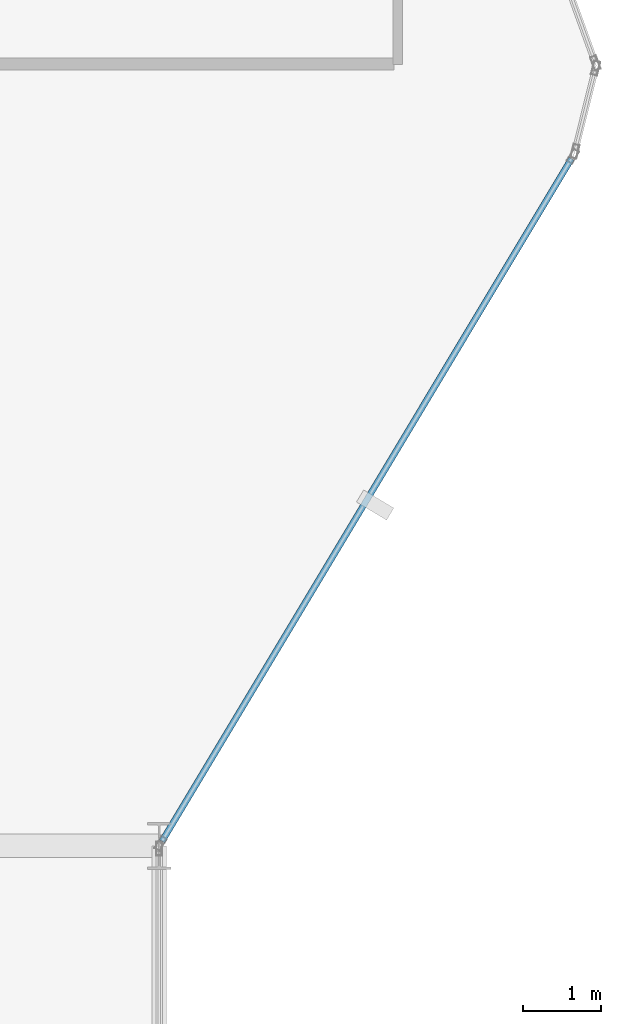
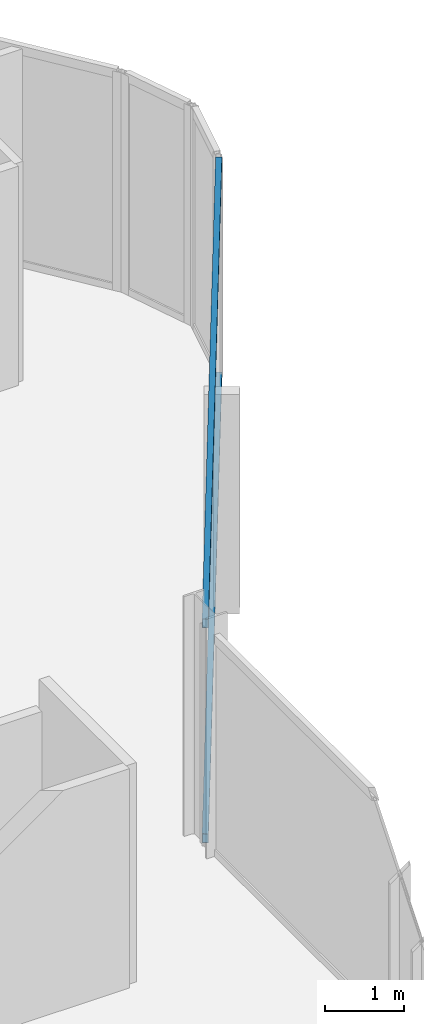
# One storey, part 13 of 29: 2 members, 1 element without a shape of its own.
"""IFC4 building model written with IfcOpenShell, lengths in metres."""

from ifc_helpers import new_model, si_unit, direction, frame, origin, origin_2d, place, context, subcontext, project, spatial, hollow_rectangle, extrude, material, layer, layer_set, material_profile, profile_set, type_object, element, aggregate, save


model = new_model("IFC4")

# Units and contexts
model_context = context("Model", 3, precision=1e-05, world=origin(), true_north=direction((0.0, 1.0)))
body_context = subcontext(model_context, "Body", "Model", "MODEL_VIEW")
ifc_project = project(units=[si_unit("LENGTHUNIT", "METRE"), si_unit("AREAUNIT", "SQUARE_METRE"), si_unit("VOLUMEUNIT", "CUBIC_METRE"), si_unit("PLANEANGLEUNIT", "RADIAN"), si_unit("MASSUNIT", "GRAM", prefix="KILO")], contexts=[model_context])

# Site, building, storey
site_placement = place(None, origin())
site = spatial("IfcSite", under=ifc_project, at=site_placement, CompositionType="ELEMENT")
building_placement = place(site_placement, origin())
building = spatial("IfcBuilding", under=site, at=building_placement, Name="Keshet Zoharim Tower", CompositionType="ELEMENT")
storey_placement = place(building_placement, frame((0.0, 0.0, 94.60009765625)))
storey = spatial("IfcBuildingStorey", under=building, at=storey_placement, Name="L22", CompositionType="ELEMENT", Elevation=94.60009765625)

# Curtain wall, members
ifc_material = material(Name="Aluminium 6063-T6", Category="aluminium")
ifc_layer = layer(ifc_material, 0.159912109375)
ifc_layer_set = layer_set([ifc_layer], Name="Aluminium 6063-T6")
curtain_wall_type = type_object("IfcCurtainWallType", Name="CW-SYS-03", PredefinedType="NOTDEFINED", material=ifc_layer_set)
curtain_wall_placement = place(storey_placement, origin())
curtain_wall = element("IfcCurtainWall", 1, at=curtain_wall_placement, inside=storey, type_object=curtain_wall_type, Name="L22 Unitised Curtain Wall 18", PredefinedType="NOTDEFINED")
ifc_material_profile = material_profile(ifc_material, hollow_rectangle(XDim=0.080078125, YDim=0.139892578125, WallThickness=0.00390625, at=origin_2d()), Name="TRN-80x140")
ifc_profile_set = profile_set([ifc_material_profile], Name="Aluminium 6063-T6")
member_type = type_object("IfcMemberType", Name="CWT-T14", PredefinedType="USERDEFINED", material=ifc_profile_set)
member_1_placement = place(storey_placement, frame((62.27197265625, 36.68701171875, 0.034912109375), z_axis=(-0.514467532827, -0.857509858641, 0.0), x_axis=(0.857509858641, -0.514467532827, 0.0)))
member_1 = element("IfcMember", 2, at=member_1_placement, type_object=member_type, Name="CW-03 transom 1.1", ObjectType="TRANSOM", PredefinedType="USERDEFINED", context=body_context, shape_type="SweptSolid", body=[
    extrude(hollow_rectangle(XDim=0.080078125, YDim=0.139892578125, WallThickness=0.00390625, at=origin_2d()), origin(), (0.0, 0.0, 1.0), 10.17724609375),
])
member_2_placement = place(storey_placement, frame((62.27197265625, 36.68701171875, 3.349853515625), z_axis=(-0.514467532827, -0.857509858641, 0.0), x_axis=(0.857509858641, -0.514467532827, 0.0)))
member_2 = element("IfcMember", 3, at=member_2_placement, type_object=member_type, Name="CW-03 transom 1.2", ObjectType="TRANSOM", PredefinedType="USERDEFINED", context=body_context, shape_type="SweptSolid", body=[
    extrude(hollow_rectangle(XDim=0.080078125, YDim=0.139892578125, WallThickness=0.00390625, at=origin_2d()), origin(), (0.0, 0.0, 1.0), 10.17724609375),
])
aggregate(curtain_wall, [member_1, member_2])

save(model, "model.ifc")
